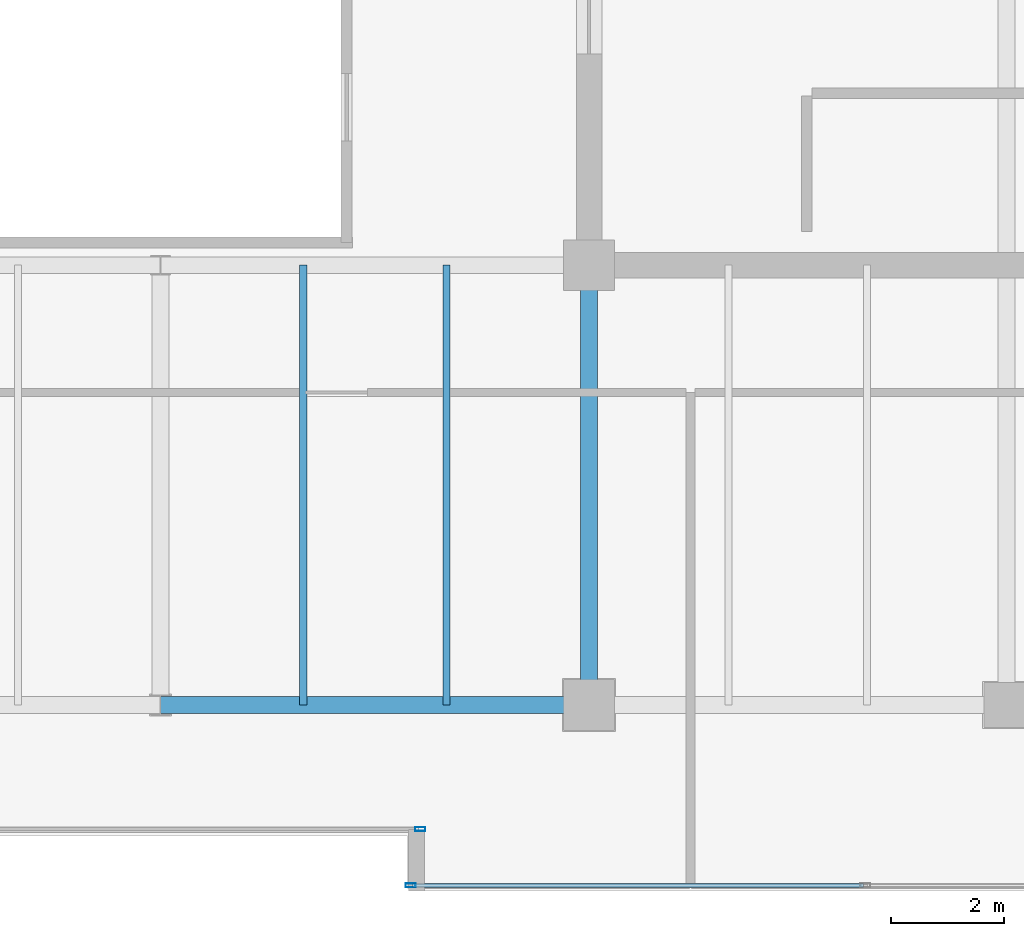
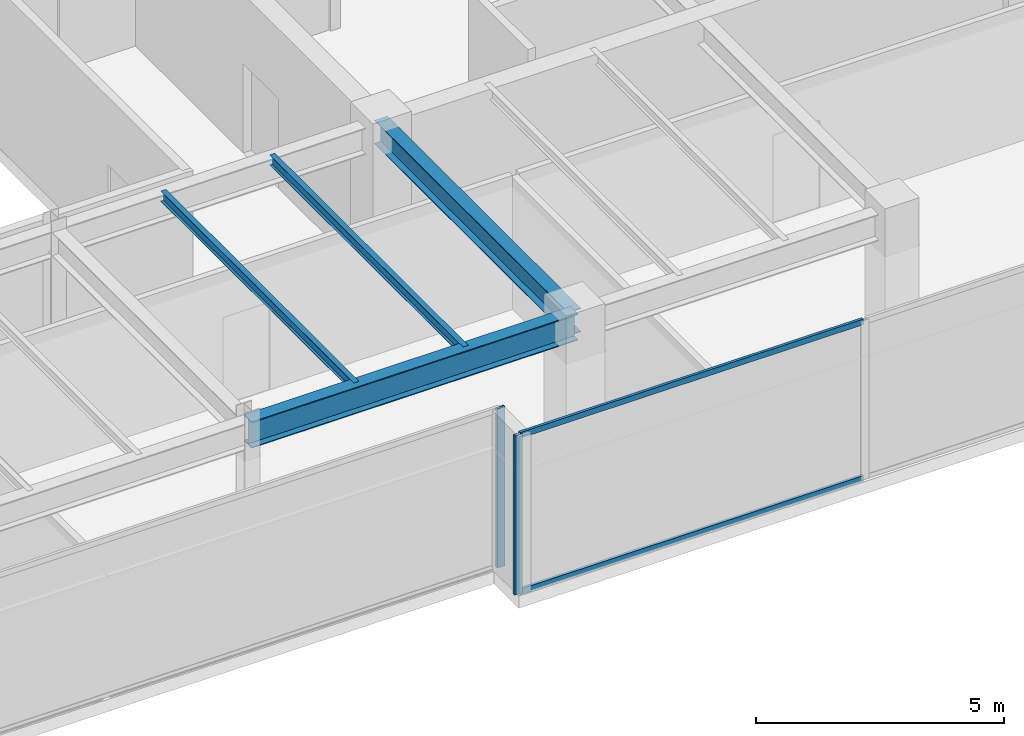
# One storey, part 12 of 34: 4 beams, 4 members, 2 elements without a shape of their own.
"""IFC4 building model written with IfcOpenShell, lengths in metres."""

from ifc_helpers import new_model, si_unit, direction, frame, origin, origin_2d, place, context, subcontext, project, spatial, hollow_rectangle, i_section, extrude, source, transform, mapped, material, layer, layer_set, material_profile, profile_set, type_object, type_shapes, element, aggregate, save


model = new_model("IFC4")

# Units and contexts
model_context = context("Model", 3, precision=1e-05, world=origin(), true_north=direction((0.0, 1.0)))
body_context = subcontext(model_context, "Body", "Model", "MODEL_VIEW")
ifc_project = project(units=[si_unit("LENGTHUNIT", "METRE"), si_unit("AREAUNIT", "SQUARE_METRE"), si_unit("VOLUMEUNIT", "CUBIC_METRE"), si_unit("PLANEANGLEUNIT", "RADIAN"), si_unit("MASSUNIT", "GRAM", prefix="KILO")], contexts=[model_context])

# Site, building, storey
site_placement = place(None, origin())
site = spatial("IfcSite", under=ifc_project, at=site_placement, CompositionType="ELEMENT")
building_placement = place(site_placement, origin())
building = spatial("IfcBuilding", under=site, at=building_placement, Name="Haelvirn Gate Laboratories", CompositionType="ELEMENT")
storey_placement = place(building_placement, frame((0.0, 0.0, 322.800048828125)))
storey = spatial("IfcBuildingStorey", under=building, at=storey_placement, Name="L77", CompositionType="ELEMENT", Elevation=322.800048828125)

# Beams
ifc_material_1 = material(Name="Steel SM355", Category="steel")
ifc_material_profile_1 = material_profile(ifc_material_1, i_section(OverallWidth=0.300048828125, OverallDepth=0.587890625, WebThickness=0.011962890625, FlangeThickness=0.02001953125, at=origin_2d()), Name="H-588x300x12x20")
ifc_profile_set_1 = profile_set([ifc_material_profile_1], Name="Steel SM355")
beam_type_1 = type_object("IfcBeamType", Name="BM-G-588", PredefinedType="BEAM", material=ifc_profile_set_1)
shared_shape_1 = source(origin(), body_context, "Body", "SweptSolid", [
    extrude(i_section(OverallWidth=0.300048828125, OverallDepth=0.587890625, WebThickness=0.011962890625, FlangeThickness=0.02001953125, at=origin_2d()), origin(), (0.0, 0.0, 1.0), 7.800048828125),
])
type_shapes(beam_type_1, [shared_shape_1])
beam_1_placement = place(storey_placement, frame((52.60009765625, 7.0, 3.6259765625), z_axis=(0.0, 1.0, 0.0), x_axis=(-1.0, 0.0, 0.0)))
element("IfcBeam", 1, at=beam_1_placement, inside=storey, type_object=beam_type_1, Name="L77 Frame Girder X52.6 (7.0-14.8)", PredefinedType="BEAM", context=body_context, shape_type="MappedRepresentation", body=[
    mapped(shared_shape_1, transform((0.0, 0.0, 0.0), scale=1.0)),
])
ifc_material_profile_2 = material_profile(ifc_material_1, i_section(OverallWidth=0.300048828125, OverallDepth=0.64990234375, WebThickness=0.012939453125, FlangeThickness=0.02197265625, at=origin_2d()), Name="H-650x300x13x22")
ifc_profile_set_2 = profile_set([ifc_material_profile_2], Name="Steel SM355")
beam_type_2 = type_object("IfcBeamType", Name="BM-G-650", PredefinedType="BEAM", material=ifc_profile_set_2)
shared_shape_2 = source(origin(), body_context, "Body", "SweptSolid", [
    extrude(i_section(OverallWidth=0.300048828125, OverallDepth=0.64990234375, WebThickness=0.012939453125, FlangeThickness=0.02197265625, at=origin_2d()), origin(), (0.0, 0.0, 1.0), 7.60009765625),
])
type_shapes(beam_type_2, [shared_shape_2])
beam_2_placement = place(storey_placement, frame((45.0, 7.0, 3.594970703125), z_axis=(1.0, 0.0, 0.0), x_axis=(0.0, 1.0, 0.0)))
element("IfcBeam", 2, at=beam_2_placement, inside=storey, type_object=beam_type_2, Name="L77 Primary Girder Y7.0 (45.0-52.6)", PredefinedType="BEAM", context=body_context, shape_type="MappedRepresentation", body=[
    mapped(shared_shape_2, transform((0.0, 0.0, 0.0), scale=1.0)),
])
ifc_material_profile_3 = material_profile(ifc_material_1, i_section(OverallWidth=0.125, OverallDepth=0.25, WebThickness=0.006103515625, FlangeThickness=0.009033203125, at=origin_2d()), Name="H-250x125x6x9")
ifc_profile_set_3 = profile_set([ifc_material_profile_3], Name="Steel SM355")
beam_type_3 = type_object("IfcBeamType", Name="BM-J-250", PredefinedType="JOIST", material=ifc_profile_set_3)
shared_shape_3 = source(origin(), body_context, "Body", "SweptSolid", [
    extrude(i_section(OverallWidth=0.125, OverallDepth=0.25, WebThickness=0.006103515625, FlangeThickness=0.009033203125, at=origin_2d()), origin(), (0.0, 0.0, 1.0), 7.800048828125),
])
type_shapes(beam_type_3, [shared_shape_3])
for number, where, z_axis, x_axis, name in (
    (3, (47.530029296875, 7.0, 3.794921875), (0.0, 1.0, 0.0), (-1.0, 0.0, 0.0), "L77 Composite Lab Joist South X47.53"),
    (4, (50.070068359375, 7.0, 3.794921875), (0.0, 1.0, 0.0), (-1.0, 0.0, 0.0), "L77 Composite Lab Joist South X50.07"),
):
    element("IfcBeam", number, at=place(storey_placement, frame(where, z_axis=z_axis, x_axis=x_axis)), inside=storey, type_object=beam_type_3, Name=name, PredefinedType="JOIST", context=body_context, shape_type="MappedRepresentation", body=[
        mapped(shared_shape_3, transform((0.0, 0.0, 0.0), scale=1.0)),
    ])

# Curtain wall, members
ifc_material_2 = material(Name="Anodised bronze unitised aluminium & triple low-E glass", Category="aluminium")
ifc_layer = layer(ifc_material_2, 0.176025390625, Name="CW-SYS-4")
ifc_layer_set = layer_set([ifc_layer], Name="Anodised bronze unitised aluminium & triple low-E glass")
curtain_wall_type = type_object("IfcCurtainWallType", Name="CW-SYS-4", PredefinedType="NOTDEFINED", material=ifc_layer_set)
curtain_wall_1_placement = place(storey_placement, origin())
curtain_wall_1 = element("IfcCurtainWall", 5, at=curtain_wall_1_placement, inside=storey, type_object=curtain_wall_type, Name="L77 Unitised Curtain Wall CW-L77-P0-E04-1", PredefinedType="NOTDEFINED")
ifc_material_3 = material(Name="Extruded aluminium 6063-T6 (anodised bronze)", Category="aluminium")
ifc_material_profile_4 = material_profile(ifc_material_3, hollow_rectangle(XDim=0.06494140625, YDim=0.139892578125, WallThickness=0.00390625, at=origin_2d()), Name="CWT-140x65x4")
ifc_profile_set_4 = profile_set([ifc_material_profile_4], Name="Extruded aluminium 6063-T6 (anodised bronze)")
member_type_1 = type_object("IfcMemberType", Name="CWT-T140", PredefinedType="USERDEFINED", material=ifc_profile_set_4)
shared_shape_4 = source(origin(), body_context, "Body", "SweptSolid", [
    extrude(hollow_rectangle(XDim=0.06494140625, YDim=0.139892578125, WallThickness=0.00390625, at=origin_2d()), origin(), (0.0, 0.0, 1.0), 7.9951171875),
])
type_shapes(member_type_1, [shared_shape_4])
member_1_placement = place(storey_placement, frame((49.469970703125, 3.800048828125, 0.032470703125), z_axis=(1.0, 0.0, 0.0), x_axis=(0.0, 1.0, 0.0)))
member_1 = element("IfcMember", 6, at=member_1_placement, type_object=member_type_1, Name="CW4 transom 1.1", ObjectType="TRANSOM", PredefinedType="USERDEFINED", context=body_context, shape_type="MappedRepresentation", body=[
    mapped(shared_shape_4, transform((0.0, 0.0, 0.0), scale=1.0)),
])
member_2_placement = place(storey_placement, frame((49.469970703125, 3.800048828125, 3.887451171875), z_axis=(1.0, 0.0, 0.0), x_axis=(0.0, 1.0, 0.0)))
member_2 = element("IfcMember", 7, at=member_2_placement, type_object=member_type_1, Name="CW4 transom 1.2", ObjectType="TRANSOM", PredefinedType="USERDEFINED", context=body_context, shape_type="MappedRepresentation", body=[
    mapped(shared_shape_4, transform((0.0, 0.0, 0.0), scale=1.0)),
])

# Curtain wall, member
curtain_wall_2_placement = place(storey_placement, origin())
curtain_wall_2 = element("IfcCurtainWall", 8, at=curtain_wall_2_placement, inside=storey, type_object=curtain_wall_type, Name="L77 Unitised Curtain Wall CW-L77-P0-E02-1", PredefinedType="NOTDEFINED")
ifc_material_profile_5 = material_profile(ifc_material_3, hollow_rectangle(XDim=0.070068359375, YDim=0.179931640625, WallThickness=0.0048828125, at=origin_2d()), Name="CWM-180x70x5")
ifc_profile_set_5 = profile_set([ifc_material_profile_5], Name="Extruded aluminium 6063-T6 (anodised bronze)")
member_type_2 = type_object("IfcMemberType", Name="CWM-T180", PredefinedType="MULLION", material=ifc_profile_set_5)
shared_shape_5 = source(origin(), body_context, "Body", "SweptSolid", [
    extrude(hollow_rectangle(XDim=0.070068359375, YDim=0.179931640625, WallThickness=0.0048828125, at=origin_2d()), origin(), (0.0, 0.0, 1.0), 3.919921875),
])
type_shapes(member_type_2, [shared_shape_5])
member_3_placement = place(storey_placement, frame((49.60498046875, 4.800048828125, 0.0), z_axis=(0.0, 0.0, 1.0), x_axis=(0.0, 1.0, 0.0)))
member_3 = element("IfcMember", 9, at=member_3_placement, type_object=member_type_2, Name="CW4 mullion 3", PredefinedType="MULLION", context=body_context, shape_type="MappedRepresentation", body=[
    mapped(shared_shape_5, transform((0.0, 0.0, 0.0), scale=1.0)),
])
aggregate(curtain_wall_2, [member_3])

# Member
member_4_placement = place(storey_placement, frame((49.43505859375, 3.800048828125, 0.0), z_axis=(0.0, 0.0, 1.0), x_axis=(0.0, 1.0, 0.0)))
member_4 = element("IfcMember", 10, at=member_4_placement, type_object=member_type_2, Name="CW4 mullion 1", PredefinedType="MULLION", context=body_context, shape_type="MappedRepresentation", body=[
    mapped(shared_shape_5, transform((0.0, 0.0, 0.0), scale=1.0)),
])

aggregate(curtain_wall_1, [member_4, member_1, member_2])

save(model, "model.ifc")
